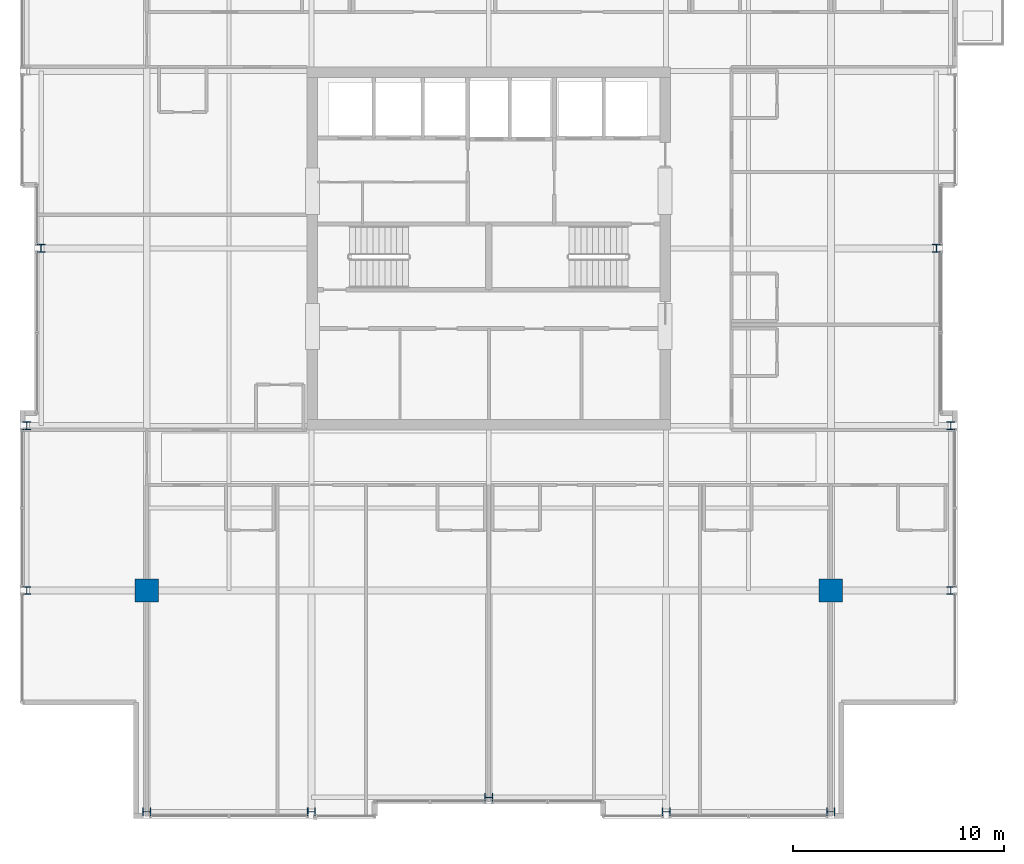
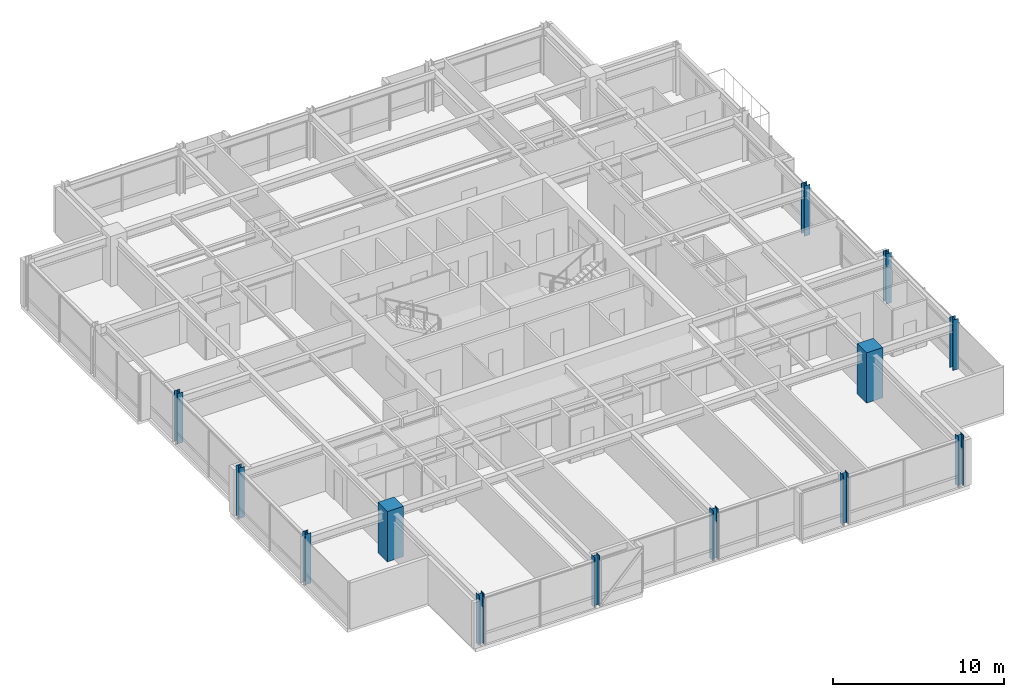
# One storey, part 1 of 34: 13 columns.
"""IFC4 building model written with IfcOpenShell, lengths in metres."""

from ifc_helpers import new_model, si_unit, direction, frame, origin, origin_2d, place, context, subcontext, project, spatial, rectangle, i_section, extrude, material, material_profile, profile_set, type_object, element, save


model = new_model("IFC4")

# Units and contexts
model_context = context("Model", 3, precision=1e-05, world=origin(), true_north=direction((0.0, 1.0)))
body_context = subcontext(model_context, "Body", "Model", "MODEL_VIEW")
ifc_project = project(units=[si_unit("LENGTHUNIT", "METRE"), si_unit("AREAUNIT", "SQUARE_METRE"), si_unit("VOLUMEUNIT", "CUBIC_METRE"), si_unit("PLANEANGLEUNIT", "RADIAN"), si_unit("MASSUNIT", "GRAM", prefix="KILO")], contexts=[model_context])

# Site, building, storey
site_placement = place(None, origin())
site = spatial("IfcSite", under=ifc_project, at=site_placement, CompositionType="ELEMENT")
building_placement = place(site_placement, origin())
building = spatial("IfcBuilding", under=site, at=building_placement, Name="Drelvath Grand Hotel", CompositionType="ELEMENT")
storey_placement = place(building_placement, frame((0.0, 0.0, 251.89990234375)))
storey = spatial("IfcBuildingStorey", under=building, at=storey_placement, Name="L66", CompositionType="ELEMENT", Elevation=251.89990234375)

# Columns
ifc_material_1 = material(Name="Concrete f'c 55 MPa", Category="concrete")
ifc_material_profile_1 = material_profile(ifc_material_1, rectangle(XDim=1.10009765625, YDim=1.10009765625, at=origin_2d()), Name="MC1100X1100")
ifc_profile_set_1 = profile_set([ifc_material_profile_1], Name="Concrete f'c 55 MPa")
column_type_1 = type_object("IfcColumnType", Name="Composite Mega Column MC1100X1100", PredefinedType="COLUMN", material=ifc_profile_set_1)
for number, where, z_axis, x_axis, name in (
    (1, (-16.199951171875, 10.800048828125, 0.0), (0.0, 0.0, 1.0), (1.0, 0.0, 0.0), "L66 Composite Mega Column MC-SW"),
    (2, (16.199951171875, 10.800048828125, 0.0), (0.0, 0.0, 1.0), (1.0, 0.0, 0.0), "L66 Composite Mega Column MC-SE"),
):
    element("IfcColumn", number, at=place(storey_placement, frame(where, z_axis=z_axis, x_axis=x_axis)), inside=storey, type_object=column_type_1, Name=name, PredefinedType="COLUMN", context=body_context, shape_type="SweptSolid", body=[
        extrude(rectangle(XDim=1.10009765625, YDim=1.10009765625, at=origin_2d()), origin(), (0.0, 0.0, 1.0), 3.60009765625),
    ])
ifc_material_2 = material(Name="Steel ASTM A913 Gr 65", Category="steel")
ifc_material_profile_2 = material_profile(ifc_material_2, i_section(OverallWidth=0.3740234375, OverallDepth=0.372314453125, WebThickness=0.016357421875, FlangeThickness=0.026123046875, FilletRadius=0.02490234375, at=origin_2d()), Name="W14X132")
ifc_profile_set_2 = profile_set([ifc_material_profile_2], Name="Steel ASTM A913 Gr 65")
column_type_2 = type_object("IfcColumnType", Name="Perimeter Steel Column W14X132", PredefinedType="COLUMN", material=ifc_profile_set_2)
for number, where, z_axis, x_axis, name in (
    (3, (-21.8798828125, 10.800048828125, 0.0), (0.0, 0.0, 1.0), (1.0, 0.0, 0.0), "L66 Structural Column TCW-C"),
    (4, (21.8798828125, 10.800048828125, 0.0), (0.0, 0.0, 1.0), (1.0, 0.0, 0.0), "L66 Structural Column TCE-C"),
    (5, (-21.8798828125, 18.60009765625, 0.0), (0.0, 0.0, 1.0), (1.0, 0.0, 0.0), "L66 Structural Column TCW-D"),
    (6, (21.8798828125, 18.60009765625, 0.0), (0.0, 0.0, 1.0), (1.0, 0.0, 0.0), "L66 Structural Column TCE-D"),
    (7, (-21.199951171875, 27.0, 0.0), (0.0, 0.0, 1.0), (1.0, 0.0, 0.0), "L66 Structural Column TCW-E"),
    (8, (21.199951171875, 27.0, 0.0), (0.0, 0.0, 1.0), (1.0, 0.0, 0.0), "L66 Structural Column TCE-E"),
    (9, (-16.199951171875, 0.320068359375, 0.0), (0.0, 0.0, 1.0), (0.0, 1.0, 0.0), "L66 Structural Column TCS-3"),
    (10, (-8.39990234375, 0.320068359375, 0.0), (0.0, 0.0, 1.0), (0.0, 1.0, 0.0), "L66 Structural Column TCS-4"),
    (11, (0.0, 1.0, 0.0), (0.0, 0.0, 1.0), (0.0, 1.0, 0.0), "L66 Structural Column TCS-5"),
    (12, (8.39990234375, 0.320068359375, 0.0), (0.0, 0.0, 1.0), (0.0, 1.0, 0.0), "L66 Structural Column TCS-6"),
    (13, (16.199951171875, 0.320068359375, 0.0), (0.0, 0.0, 1.0), (0.0, 1.0, 0.0), "L66 Structural Column TCS-7"),
):
    element("IfcColumn", number, at=place(storey_placement, frame(where, z_axis=z_axis, x_axis=x_axis)), inside=storey, type_object=column_type_2, Name=name, PredefinedType="COLUMN", context=body_context, shape_type="SweptSolid", body=[
        extrude(i_section(OverallWidth=0.3740234375, OverallDepth=0.372314453125, WebThickness=0.016357421875, FlangeThickness=0.026123046875, FilletRadius=0.02490234375, at=origin_2d()), origin(), (0.0, 0.0, 1.0), 3.59716796875),
    ])

save(model, "model.ifc")
